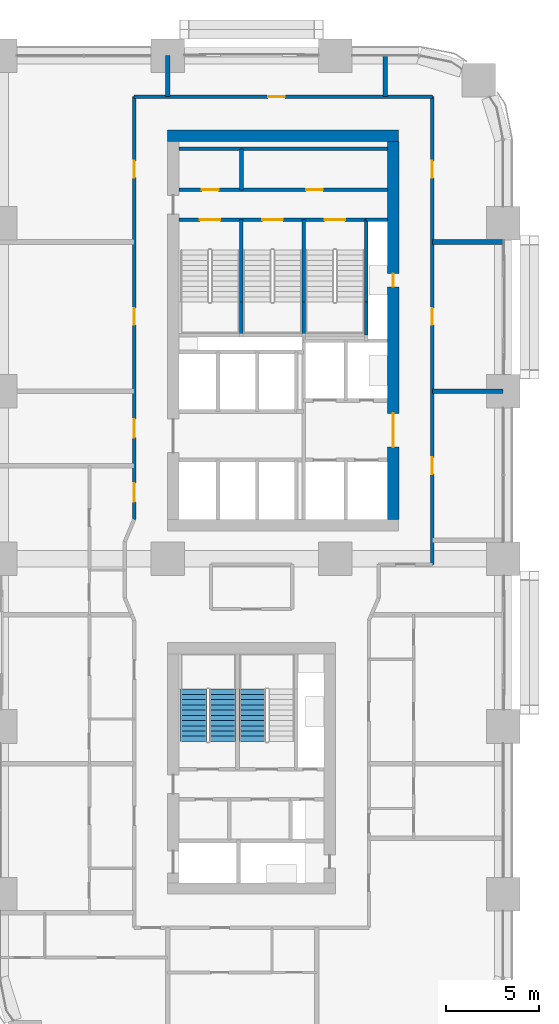
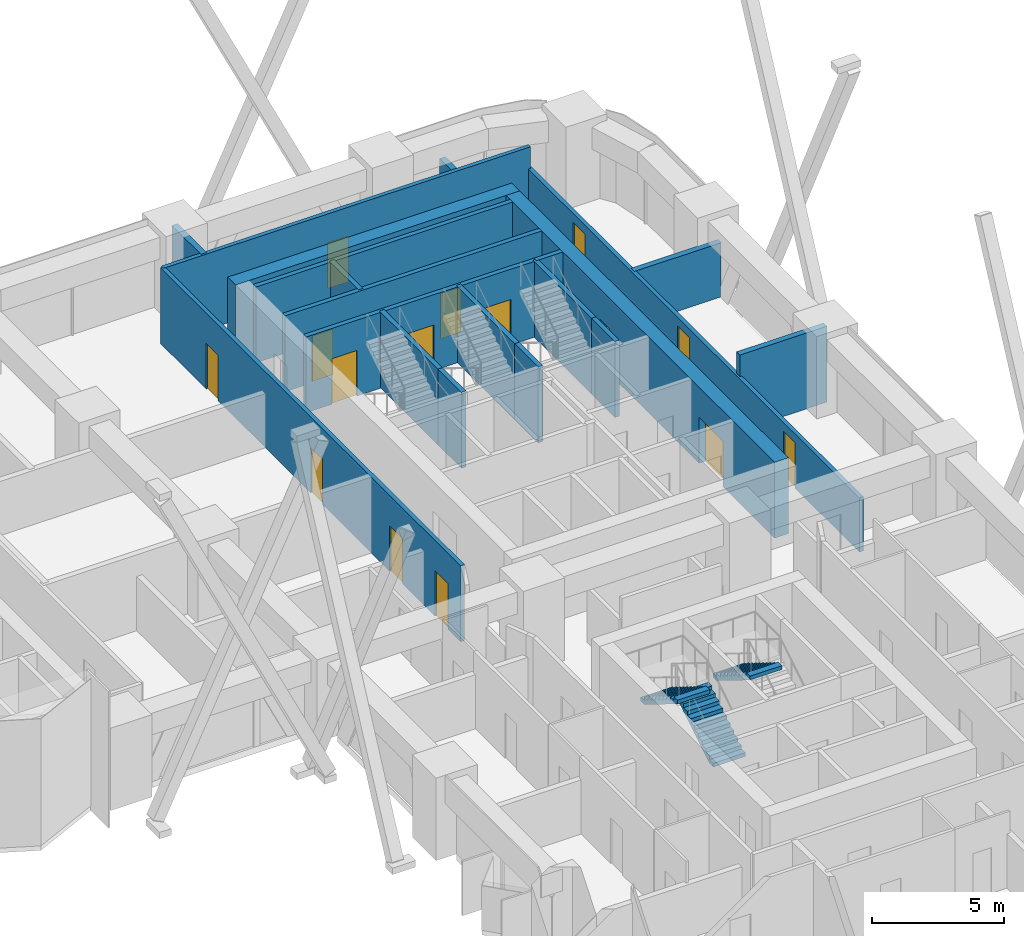
# One storey, part 16 of 19: 20 walls, 15 doors, 3 stair flights, 15 openings, 2 elements without a shape of their own.
"""IFC4 building model written with IfcOpenShell, lengths in metres."""

from ifc_helpers import new_model, si_unit, direction, frame, frame_2d, origin, place, context, subcontext, project, spatial, polyline, rectangle, outline, extrude, material, layer, layer_set, type_object, element, fill, aggregate, save


model = new_model("IFC4")

# Units and contexts
model_context = context("Model", 3, precision=1e-05, world=origin(), true_north=direction((0.0, 1.0)))
body_context = subcontext(model_context, "Body", "Model", "MODEL_VIEW")
ifc_project = project(units=[si_unit("LENGTHUNIT", "METRE"), si_unit("AREAUNIT", "SQUARE_METRE"), si_unit("VOLUMEUNIT", "CUBIC_METRE"), si_unit("PLANEANGLEUNIT", "RADIAN"), si_unit("MASSUNIT", "GRAM", prefix="KILO")], contexts=[model_context])

# Site, building, storey
site_placement = place(None, origin())
site = spatial("IfcSite", under=ifc_project, at=site_placement, CompositionType="ELEMENT")
building_placement = place(site_placement, origin())
building = spatial("IfcBuilding", under=site, at=building_placement, Name="Tessera Arch", CompositionType="ELEMENT")
storey_placement = place(building_placement, frame((0.0, 0.0, 108.199951171875)))
storey = spatial("IfcBuildingStorey", under=building, at=storey_placement, Name="L25", CompositionType="ELEMENT", Elevation=108.199951171875)

# Wall
ifc_material_1 = material(Name="Gypsum board on steel stud", Category="steel")
ifc_layer_1 = layer(ifc_material_1, 0.125)
ifc_layer_set_1 = layer_set([ifc_layer_1], Name="Core partition 125 EI 60")
wall_type_1 = type_object("IfcWallType", Name="Core partition 125 EI 60", PredefinedType="PARTITIONING", material=ifc_layer_set_1)
wall_1_placement = place(storey_placement, frame((39.9599609375, 46.800048828125, 0.0), z_axis=(0.0, 0.0, 1.0), x_axis=(0.0, 1.0, 0.0)))
element("IfcWall", 1, at=wall_1_placement, inside=storey, type_object=wall_type_1, Name="L25 C1 partition wall 5", PredefinedType="PARTITIONING", context=body_context, shape_type="SweptSolid", body=[
    extrude(rectangle(XDim=2.199951171875, YDim=0.199951171875, at=frame_2d((1.10009765625, 0.0))), origin(), (0.0, 0.0, 1.0), 3.5),
])

# Wall, openings, doors
wall_2_placement = place(storey_placement, frame((36.60009765625, 46.800048828125, 0.0), z_axis=(0.0, 0.0, 1.0), x_axis=(1.0, 0.0, 0.0)))
wall_2 = element("IfcWall", 2, at=wall_2_placement, inside=storey, type_object=wall_type_1, Name="L25 C1 partition wall 31", PredefinedType="PARTITIONING", context=body_context, shape_type="SweptSolid", body=[
    extrude(rectangle(XDim=11.199951171875, YDim=0.199951171875, at=frame_2d((5.60009765625, 0.0))), origin(), (0.0, 0.0, 1.0), 3.5),
])
opening_1_placement = place(wall_2_placement, frame((1.22998046875, 0.0, 0.0)))
opening_1 = element("IfcOpeningElement", 3, at=opening_1_placement, cuts=wall_2, Name="Opening L25-C12", PredefinedType="OPENING", context=body_context, shape_type="SweptSolid", body=[
    extrude(rectangle(XDim=0.89990234375, YDim=2.10009765625, at=frame_2d((0.449951171875, 1.050048828125))), frame((0.0, 0.10986328125, 0.0), z_axis=(0.0, -1.0, 0.0), x_axis=(1.0, 0.0, 0.0)), (0.0, 0.0, 1.0), 0.219970703125),
])
opening_2_placement = place(wall_2_placement, frame((6.830078125, 0.0, 0.0)))
opening_2 = element("IfcOpeningElement", 4, at=opening_2_placement, cuts=wall_2, Name="Opening L25-C13", PredefinedType="OPENING", context=body_context, shape_type="SweptSolid", body=[
    extrude(rectangle(XDim=0.89990234375, YDim=2.10009765625, at=frame_2d((0.449951171875, 1.050048828125))), frame((0.0, 0.10986328125, 0.0), z_axis=(0.0, -1.0, 0.0), x_axis=(1.0, 0.0, 0.0)), (0.0, 0.0, 1.0), 0.219970703125),
])
ifc_material_2 = material(Name="Steel door leaf", Category="steel")
door_type_1 = type_object("IfcDoorType", Name="Store door FD30S 900 x 2100", OperationType="SINGLE_SWING_LEFT", PredefinedType="DOOR", material=ifc_material_2)
door_1_placement = place(opening_1_placement, origin())
door_1 = element("IfcDoor", 5, at=door_1_placement, inside=storey, type_object=door_type_1, Name="L25 C1 door 12 C12 type D09", OperationType="SINGLE_SWING_LEFT", OverallHeight=2.10009765625, OverallWidth=0.89990234375, PredefinedType="DOOR", context=body_context, shape_type="SweptSolid", body=[
    extrude(rectangle(XDim=0.89990234375, YDim=2.10009765625, at=frame_2d((0.449951171875, 1.050048828125))), frame((0.0, 0.02490234375, 0.0), z_axis=(0.0, -1.0, 0.0), x_axis=(1.0, 0.0, 0.0)), (0.0, 0.0, 1.0), 0.050048828125),
])
fill(opening_1, door_1)
door_2_placement = place(opening_2_placement, origin())
door_2 = element("IfcDoor", 6, at=door_2_placement, inside=storey, type_object=door_type_1, Name="L25 C1 door 13 C13 type D09", OperationType="SINGLE_SWING_RIGHT", OverallHeight=2.10009765625, OverallWidth=0.89990234375, PredefinedType="DOOR", context=body_context, shape_type="SweptSolid", body=[
    extrude(rectangle(XDim=0.89990234375, YDim=2.10009765625, at=frame_2d((0.449951171875, 1.050048828125))), frame((0.0, 0.02490234375, 0.0), z_axis=(0.0, -1.0, 0.0), x_axis=(1.0, 0.0, 0.0)), (0.0, 0.0, 1.0), 0.050048828125),
])
fill(opening_2, door_2)

# Walls
wall_3_placement = place(storey_placement, frame((36.60009765625, 49.0, 0.0), z_axis=(0.0, 0.0, 1.0), x_axis=(1.0, 0.0, 0.0)))
element("IfcWall", 7, at=wall_3_placement, inside=storey, type_object=wall_type_1, Name="L25 C1 partition wall 32", PredefinedType="PARTITIONING", context=body_context, shape_type="SweptSolid", body=[
    extrude(rectangle(XDim=11.199951171875, YDim=0.199951171875, at=frame_2d((5.60009765625, 0.0))), origin(), (0.0, 0.0, 1.0), 3.5),
])
ifc_material_3 = material(Name="Concrete C70/85", Category="concrete")
ifc_layer_2 = layer(ifc_material_3, 0.60009765625)
ifc_layer_set_2 = layer_set([ifc_layer_2], Name="Core shell wall 600 C70-85")
wall_type_2 = type_object("IfcWallType", Name="Core shell wall 600 C70-85", PredefinedType="SHEAR", material=ifc_layer_set_2)
wall_4_placement = place(storey_placement, frame((36.0, 49.699951171875, 0.0), z_axis=(0.0, 0.0, 1.0), x_axis=(1.0, 0.0, 0.0)))
element("IfcWall", 8, at=wall_4_placement, inside=storey, type_object=wall_type_2, Name="L25 C1 core wall N", PredefinedType="SHEAR", context=body_context, shape_type="SweptSolid", body=[
    extrude(rectangle(XDim=12.39990234375, YDim=0.60009765625, at=frame_2d((6.199951171875, 0.0))), origin(), (0.0, 0.0, 1.0), 3.5),
])

# Wall, openings, doors
wall_5_placement = place(storey_placement, frame((48.10009765625, 29.10009765625, 0.0), z_axis=(0.0, 0.0, 1.0), x_axis=(0.0, 1.0, 0.0)))
wall_5 = element("IfcWall", 9, at=wall_5_placement, inside=storey, type_object=wall_type_2, Name="L25 C1 core wall E", PredefinedType="SHEAR", context=body_context, shape_type="SweptSolid", body=[
    extrude(rectangle(XDim=20.2998046875, YDim=0.60009765625, at=frame_2d((10.14990234375, 0.0))), origin(), (0.0, 0.0, 1.0), 3.5),
])
opening_3_placement = place(wall_5_placement, frame((12.5, 0.0, 0.0)))
opening_3 = element("IfcOpeningElement", 10, at=opening_3_placement, cuts=wall_5, Name="Opening L25-C08", PredefinedType="OPENING", context=body_context, shape_type="SweptSolid", body=[
    extrude(rectangle(XDim=0.699951171875, YDim=2.10009765625, at=frame_2d((0.35009765625, 1.050048828125))), frame((0.0, 0.31005859375, 0.0), z_axis=(0.0, -1.0, 0.0), x_axis=(1.0, 0.0, 0.0)), (0.0, 0.0, 1.0), 0.6201171875),
])
opening_4_placement = place(wall_5_placement, frame((3.89990234375, 0.0, 0.0)))
opening_4 = element("IfcOpeningElement", 11, at=opening_4_placement, cuts=wall_5, Name="Opening L25-C09", PredefinedType="OPENING", context=body_context, shape_type="SweptSolid", body=[
    extrude(rectangle(XDim=1.800048828125, YDim=2.10009765625, at=frame_2d((0.89990234375, 1.050048828125))), frame((0.0, 0.31005859375, 0.0), z_axis=(0.0, -1.0, 0.0), x_axis=(1.0, 0.0, 0.0)), (0.0, 0.0, 1.0), 0.6201171875),
])
ifc_material_4 = material(Name="Glazed steel door leaf", Category="steel")
door_type_2 = type_object("IfcDoorType", Name="Lobby double door FD60 1800 x 2100", OperationType="DOUBLE_DOOR_SINGLE_SWING", PredefinedType="DOOR", material=ifc_material_4)
door_3_placement = place(opening_4_placement, origin())
door_3 = element("IfcDoor", 12, at=door_3_placement, inside=storey, type_object=door_type_2, Name="L25 C1 door 9 C09 type D19", OperationType="DOUBLE_DOOR_SINGLE_SWING", OverallHeight=2.10009765625, OverallWidth=1.800048828125, PredefinedType="DOOR", context=body_context, shape_type="SweptSolid", body=[
    extrude(rectangle(XDim=1.800048828125, YDim=2.10009765625, at=frame_2d((0.89990234375, 1.050048828125))), frame((0.0, 0.02490234375, 0.0), z_axis=(0.0, -1.0, 0.0), x_axis=(1.0, 0.0, 0.0)), (0.0, 0.0, 1.0), 0.050048828125),
])
fill(opening_4, door_3)
ifc_material_5 = material(Name="Steel door leaf", Category="steel")
door_type_3 = type_object("IfcDoorType", Name="Service shaft door FD60 700 x 2100", OperationType="SINGLE_SWING_LEFT", PredefinedType="DOOR", material=ifc_material_5)
door_4_placement = place(opening_3_placement, origin())
door_4 = element("IfcDoor", 13, at=door_4_placement, inside=storey, type_object=door_type_3, Name="L25 C1 door 8 C08 type D07", OperationType="SINGLE_SWING_RIGHT", OverallHeight=2.10009765625, OverallWidth=0.699951171875, PredefinedType="DOOR", context=body_context, shape_type="SweptSolid", body=[
    extrude(rectangle(XDim=0.699951171875, YDim=2.10009765625, at=frame_2d((0.35009765625, 1.050048828125))), frame((0.0, 0.02490234375, 0.0), z_axis=(0.0, -1.0, 0.0), x_axis=(1.0, 0.0, 0.0)), (0.0, 0.0, 1.0), 0.050048828125),
])
fill(opening_3, door_4)

# Wall, opening, door
ifc_material_6 = material(Name="Gypsum board on deep steel stud with mineral wool", Category="steel")
ifc_layer_3 = layer(ifc_material_6, 0.175048828125)
ifc_layer_set_3 = layer_set([ifc_layer_3], Name="Corridor wall 175 EI 60")
wall_type_3 = type_object("IfcWallType", Name="Corridor wall 175 EI 60", PredefinedType="PARTITIONING", material=ifc_layer_set_3)
wall_6_placement = place(storey_placement, frame((34.199951171875, 51.800048828125, 0.0), z_axis=(0.0, 0.0, 1.0), x_axis=(1.0, 0.0, 0.0)))
wall_6 = element("IfcWall", 14, at=wall_6_placement, inside=storey, type_object=wall_type_3, Name="L25 partition 8", PredefinedType="PARTITIONING", context=body_context, shape_type="SweptSolid", body=[
    extrude(rectangle(XDim=16.0, YDim=0.175048828125, at=frame_2d((8.0, 0.0))), origin(), (0.0, 0.0, 1.0), 3.5),
])
opening_5_placement = place(wall_6_placement, frame((7.189208984375, 0.0, 0.0)))
opening_5 = element("IfcOpeningElement", 15, at=opening_5_placement, cuts=wall_6, Name="Opening L25-D038", PredefinedType="OPENING", context=body_context, shape_type="SweptSolid", body=[
    extrude(rectangle(XDim=0.89990234375, YDim=2.10009765625, at=frame_2d((0.449951171875, 1.050048828125))), frame((0.0, 0.097412109375, 0.0), z_axis=(0.0, -1.0, 0.0), x_axis=(1.0, 0.0, 0.0)), (0.0, 0.0, 1.0), 0.195068359375),
])
ifc_material_7 = material(Name="Timber door leaf", Category="wood")
door_type_4 = type_object("IfcDoorType", Name="Room door 900 x 2100", OperationType="SINGLE_SWING_LEFT", PredefinedType="DOOR", material=ifc_material_7)
door_5_placement = place(opening_5_placement, origin())
door_5 = element("IfcDoor", 16, at=door_5_placement, inside=storey, type_object=door_type_4, Name="L25 door D038 type D01", OperationType="SINGLE_SWING_RIGHT", OverallHeight=2.10009765625, OverallWidth=0.89990234375, PredefinedType="DOOR", context=body_context, shape_type="SweptSolid", body=[
    extrude(rectangle(XDim=0.89990234375, YDim=2.10009765625, at=frame_2d((0.449951171875, 1.050048828125))), frame((0.0, 0.02490234375, 0.0), z_axis=(0.0, -1.0, 0.0), x_axis=(1.0, 0.0, 0.0)), (0.0, 0.0, 1.0), 0.050048828125),
])
fill(opening_5, door_5)

# Wall, openings, doors
wall_7_placement = place(storey_placement, frame((34.199951171875, 29.1201171875, 0.0), z_axis=(0.0, 0.0, 1.0), x_axis=(0.0, 1.0, 0.0)))
wall_7 = element("IfcWall", 17, at=wall_7_placement, inside=storey, type_object=wall_type_3, Name="L25 partition 13", PredefinedType="PARTITIONING", context=body_context, shape_type="SweptSolid", body=[
    extrude(rectangle(XDim=22.679931640625, YDim=0.175048828125, at=frame_2d((11.33984375, 0.0))), origin(), (0.0, 0.0, 1.0), 3.5),
])
opening_6_placement = place(wall_7_placement, frame((0.93994140625, 0.0, 0.0)))
opening_6 = element("IfcOpeningElement", 18, at=opening_6_placement, cuts=wall_7, Name="Opening L25-D023", PredefinedType="OPENING", context=body_context, shape_type="SweptSolid", body=[
    extrude(rectangle(XDim=1.0, YDim=2.10009765625, at=frame_2d((0.5, 1.050048828125))), frame((0.0, 0.097412109375, 0.0), z_axis=(0.0, -1.0, 0.0), x_axis=(1.0, 0.0, 0.0)), (0.0, 0.0, 1.0), 0.195068359375),
])
opening_7_placement = place(wall_7_placement, frame((4.3798828125, 0.0, 0.0)))
opening_7 = element("IfcOpeningElement", 19, at=opening_7_placement, cuts=wall_7, Name="Opening L25-D029", PredefinedType="OPENING", context=body_context, shape_type="SweptSolid", body=[
    extrude(rectangle(XDim=1.0, YDim=2.10009765625, at=frame_2d((0.5, 1.050048828125))), frame((0.0, 0.097412109375, 0.0), z_axis=(0.0, -1.0, 0.0), x_axis=(1.0, 0.0, 0.0)), (0.0, 0.0, 1.0), 0.195068359375),
])
opening_8_placement = place(wall_7_placement, frame((10.429931640625, 0.0, 0.0)))
opening_8 = element("IfcOpeningElement", 20, at=opening_8_placement, cuts=wall_7, Name="Opening L25-D030", PredefinedType="OPENING", context=body_context, shape_type="SweptSolid", body=[
    extrude(rectangle(XDim=0.89990234375, YDim=2.10009765625, at=frame_2d((0.449951171875, 1.050048828125))), frame((0.0, 0.097412109375, 0.0), z_axis=(0.0, -1.0, 0.0), x_axis=(1.0, 0.0, 0.0)), (0.0, 0.0, 1.0), 0.195068359375),
])
opening_9_placement = place(wall_7_placement, frame((18.330078125, 0.0, 0.0)))
opening_9 = element("IfcOpeningElement", 21, at=opening_9_placement, cuts=wall_7, Name="Opening L25-D033", PredefinedType="OPENING", context=body_context, shape_type="SweptSolid", body=[
    extrude(rectangle(XDim=0.89990234375, YDim=2.10009765625, at=frame_2d((0.449951171875, 1.050048828125))), frame((0.0, 0.097412109375, 0.0), z_axis=(0.0, -1.0, 0.0), x_axis=(1.0, 0.0, 0.0)), (0.0, 0.0, 1.0), 0.195068359375),
])
ifc_material_8 = material(Name="Fire-rated door leaf")
door_type_5 = type_object("IfcDoorType", Name="Entrance door FD30S 1000 x 2100", OperationType="SINGLE_SWING_LEFT", PredefinedType="DOOR", material=ifc_material_8)
door_6_placement = place(opening_6_placement, origin())
door_6 = element("IfcDoor", 22, at=door_6_placement, inside=storey, type_object=door_type_5, Name="L25 door D023 type D03", OperationType="SINGLE_SWING_LEFT", OverallHeight=2.10009765625, OverallWidth=1.0, PredefinedType="DOOR", context=body_context, shape_type="SweptSolid", body=[
    extrude(rectangle(XDim=1.0, YDim=2.10009765625, at=frame_2d((0.5, 1.050048828125))), frame((0.0, 0.02490234375, 0.0), z_axis=(0.0, -1.0, 0.0), x_axis=(1.0, 0.0, 0.0)), (0.0, 0.0, 1.0), 0.050048828125),
])
fill(opening_6, door_6)
door_7_placement = place(opening_7_placement, origin())
door_7 = element("IfcDoor", 23, at=door_7_placement, inside=storey, type_object=door_type_5, Name="L25 door D029 type D03", OperationType="SINGLE_SWING_LEFT", OverallHeight=2.10009765625, OverallWidth=1.0, PredefinedType="DOOR", context=body_context, shape_type="SweptSolid", body=[
    extrude(rectangle(XDim=1.0, YDim=2.10009765625, at=frame_2d((0.5, 1.050048828125))), frame((0.0, 0.02490234375, 0.0), z_axis=(0.0, -1.0, 0.0), x_axis=(1.0, 0.0, 0.0)), (0.0, 0.0, 1.0), 0.050048828125),
])
fill(opening_7, door_7)
door_8_placement = place(opening_8_placement, origin())
door_8 = element("IfcDoor", 24, at=door_8_placement, inside=storey, type_object=door_type_4, Name="L25 door D030 type D01", OperationType="SINGLE_SWING_RIGHT", OverallHeight=2.10009765625, OverallWidth=0.89990234375, PredefinedType="DOOR", context=body_context, shape_type="SweptSolid", body=[
    extrude(rectangle(XDim=0.89990234375, YDim=2.10009765625, at=frame_2d((0.449951171875, 1.050048828125))), frame((0.0, 0.02490234375, 0.0), z_axis=(0.0, -1.0, 0.0), x_axis=(1.0, 0.0, 0.0)), (0.0, 0.0, 1.0), 0.050048828125),
])
fill(opening_8, door_8)
door_9_placement = place(opening_9_placement, origin())
door_9 = element("IfcDoor", 25, at=door_9_placement, inside=storey, type_object=door_type_4, Name="L25 door D033 type D01", OperationType="SINGLE_SWING_LEFT", OverallHeight=2.10009765625, OverallWidth=0.89990234375, PredefinedType="DOOR", context=body_context, shape_type="SweptSolid", body=[
    extrude(rectangle(XDim=0.89990234375, YDim=2.10009765625, at=frame_2d((0.449951171875, 1.050048828125))), frame((0.0, 0.02490234375, 0.0), z_axis=(0.0, -1.0, 0.0), x_axis=(1.0, 0.0, 0.0)), (0.0, 0.0, 1.0), 0.050048828125),
])
fill(opening_9, door_9)

wall_8_placement = place(storey_placement, frame((50.199951171875, 26.699951171875, 0.0), z_axis=(0.0, 0.0, 1.0), x_axis=(0.0, 1.0, 0.0)))
wall_8 = element("IfcWall", 26, at=wall_8_placement, inside=storey, type_object=wall_type_3, Name="L25 partition 18", PredefinedType="PARTITIONING", context=body_context, shape_type="SweptSolid", body=[
    extrude(rectangle(XDim=25.10009765625, YDim=0.175048828125, at=frame_2d((12.550048828125, 0.0))), origin(), (0.0, 0.0, 1.0), 2.5),
])
opening_10_placement = place(wall_8_placement, frame((4.85009765625, 0.0, 0.0)))
opening_10 = element("IfcOpeningElement", 27, at=opening_10_placement, cuts=wall_8, Name="Opening L25-D028", PredefinedType="OPENING", context=body_context, shape_type="SweptSolid", body=[
    extrude(rectangle(XDim=0.89990234375, YDim=2.10009765625, at=frame_2d((0.449951171875, 1.050048828125))), frame((0.0, 0.097412109375, 0.0), z_axis=(0.0, -1.0, 0.0), x_axis=(1.0, 0.0, 0.0)), (0.0, 0.0, 1.0), 0.195068359375),
])
opening_11_placement = place(wall_8_placement, frame((12.85009765625, 0.0, 0.0)))
opening_11 = element("IfcOpeningElement", 28, at=opening_11_placement, cuts=wall_8, Name="Opening L25-D031", PredefinedType="OPENING", context=body_context, shape_type="SweptSolid", body=[
    extrude(rectangle(XDim=0.89990234375, YDim=2.10009765625, at=frame_2d((0.449951171875, 1.050048828125))), frame((0.0, 0.097412109375, 0.0), z_axis=(0.0, -1.0, 0.0), x_axis=(1.0, 0.0, 0.0)), (0.0, 0.0, 1.0), 0.195068359375),
])
opening_12_placement = place(wall_8_placement, frame((20.75, 0.0, 0.0)))
opening_12 = element("IfcOpeningElement", 29, at=opening_12_placement, cuts=wall_8, Name="Opening L25-D034", PredefinedType="OPENING", context=body_context, shape_type="SweptSolid", body=[
    extrude(rectangle(XDim=0.89990234375, YDim=2.10009765625, at=frame_2d((0.449951171875, 1.050048828125))), frame((0.0, 0.097412109375, 0.0), z_axis=(0.0, -1.0, 0.0), x_axis=(1.0, 0.0, 0.0)), (0.0, 0.0, 1.0), 0.195068359375),
])
door_10_placement = place(opening_10_placement, origin())
door_10 = element("IfcDoor", 30, at=door_10_placement, inside=storey, type_object=door_type_4, Name="L25 door D028 type D01", OperationType="SINGLE_SWING_LEFT", OverallHeight=2.10009765625, OverallWidth=0.89990234375, PredefinedType="DOOR", context=body_context, shape_type="SweptSolid", body=[
    extrude(rectangle(XDim=0.89990234375, YDim=2.10009765625, at=frame_2d((0.449951171875, 1.050048828125))), frame((0.0, 0.02490234375, 0.0), z_axis=(0.0, -1.0, 0.0), x_axis=(1.0, 0.0, 0.0)), (0.0, 0.0, 1.0), 0.050048828125),
])
fill(opening_10, door_10)
door_11_placement = place(opening_11_placement, origin())
door_11 = element("IfcDoor", 31, at=door_11_placement, inside=storey, type_object=door_type_4, Name="L25 door D031 type D01", OperationType="SINGLE_SWING_RIGHT", OverallHeight=2.10009765625, OverallWidth=0.89990234375, PredefinedType="DOOR", context=body_context, shape_type="SweptSolid", body=[
    extrude(rectangle(XDim=0.89990234375, YDim=2.10009765625, at=frame_2d((0.449951171875, 1.050048828125))), frame((0.0, 0.02490234375, 0.0), z_axis=(0.0, -1.0, 0.0), x_axis=(1.0, 0.0, 0.0)), (0.0, 0.0, 1.0), 0.050048828125),
])
fill(opening_11, door_11)
door_12_placement = place(opening_12_placement, origin())
door_12 = element("IfcDoor", 32, at=door_12_placement, inside=storey, type_object=door_type_4, Name="L25 door D034 type D01", OperationType="SINGLE_SWING_LEFT", OverallHeight=2.10009765625, OverallWidth=0.89990234375, PredefinedType="DOOR", context=body_context, shape_type="SweptSolid", body=[
    extrude(rectangle(XDim=0.89990234375, YDim=2.10009765625, at=frame_2d((0.449951171875, 1.050048828125))), frame((0.0, 0.02490234375, 0.0), z_axis=(0.0, -1.0, 0.0), x_axis=(1.0, 0.0, 0.0)), (0.0, 0.0, 1.0), 0.050048828125),
])
fill(opening_12, door_12)

# Walls
ifc_material_9 = material(Name="Double gypsum board on twin steel stud with acoustic mineral wool", Category="steel")
ifc_layer_4 = layer(ifc_material_9, 0.25)
ifc_layer_set_4 = layer_set([ifc_layer_4], Name="Party wall 250 EI 60")
wall_type_4 = type_object("IfcWallType", Name="Party wall 250 EI 60", PredefinedType="PARTITIONING", material=ifc_layer_set_4)
wall_9_placement = place(storey_placement, frame((50.199951171875, 36.0, 0.0), z_axis=(0.0, 0.0, 1.0), x_axis=(1.0, 0.0, 0.0)))
element("IfcWall", 33, at=wall_9_placement, inside=storey, type_object=wall_type_4, Name="L25 partition 36", PredefinedType="PARTITIONING", context=body_context, shape_type="SweptSolid", body=[
    extrude(rectangle(XDim=3.800048828125, YDim=0.25, at=frame_2d((1.89990234375, 0.0))), origin(), (0.0, 0.0, 1.0), 3.5),
])
wall_10_placement = place(storey_placement, frame((50.199951171875, 44.0, 0.0), z_axis=(0.0, 0.0, 1.0), x_axis=(1.0, 0.0, 0.0)))
element("IfcWall", 34, at=wall_10_placement, inside=storey, type_object=wall_type_4, Name="L25 partition 38", PredefinedType="PARTITIONING", context=body_context, shape_type="SweptSolid", body=[
    extrude(rectangle(XDim=3.800048828125, YDim=0.25, at=frame_2d((1.89990234375, 0.0))), origin(), (0.0, 0.0, 1.0), 2.5),
])
wall_11_placement = place(storey_placement, frame((36.0, 51.800048828125, 0.0), z_axis=(0.0, 0.0, 1.0), x_axis=(0.0, 1.0, 0.0)))
element("IfcWall", 35, at=wall_11_placement, inside=storey, type_object=wall_type_4, Name="L25 partition 48", PredefinedType="PARTITIONING", context=body_context, shape_type="SweptSolid", body=[
    extrude(rectangle(XDim=2.199951171875, YDim=0.25, at=frame_2d((1.10009765625, 0.0))), origin(), (0.0, 0.0, 1.0), 3.5),
])
wall_12_placement = place(storey_placement, frame((47.677978515625, 51.800048828125, 0.0), z_axis=(0.0, 0.0, 1.0), x_axis=(0.0, 1.0, 0.0)))
element("IfcWall", 36, at=wall_12_placement, inside=storey, type_object=wall_type_4, Name="L25 partition 50", PredefinedType="PARTITIONING", context=body_context, shape_type="SweptSolid", body=[
    extrude(rectangle(XDim=2.199951171875, YDim=0.25, at=frame_2d((1.10009765625, 0.0))), origin(), (0.0, 0.0, 1.0), 2.5),
])
ifc_material_10 = material(Name="Concrete C40/50", Category="concrete")
ifc_layer_5 = layer(ifc_material_10, 0.199951171875)
ifc_layer_set_5 = layer_set([ifc_layer_5], Name="Shaft wall 200 EI 120")
wall_type_5 = type_object("IfcWallType", Name="Shaft wall 200 EI 120", PredefinedType="SOLIDWALL", material=ifc_layer_set_5)
wall_13_placement = place(storey_placement, frame((46.64990234375, 45.199951171875, 0.0), z_axis=(0.0, 0.0, 1.0), x_axis=(1.0, 0.0, 0.0)))
element("IfcWall", 37, at=wall_13_placement, inside=storey, type_object=wall_type_5, Name="L25 C1 shaft wall 29", PredefinedType="SOLIDWALL", context=body_context, shape_type="SweptSolid", body=[
    extrude(rectangle(XDim=1.150146484375, YDim=0.199951171875, at=frame_2d((0.5751953125, 0.0))), origin(), (0.0, 0.0, 1.0), 3.5),
])
ifc_material_11 = material(Name="Concrete C40/50", Category="concrete")
ifc_layer_6 = layer(ifc_material_11, 0.199951171875)
ifc_layer_set_6 = layer_set([ifc_layer_6], Name="Stair well wall 200 REI 180")
wall_type_6 = type_object("IfcWallType", Name="Stair well wall 200 REI 180", PredefinedType="SOLIDWALL", material=ifc_layer_set_6)
wall_14_placement = place(storey_placement, frame((39.949951171875, 39.0, 0.0), z_axis=(0.0, 0.0, 1.0), x_axis=(0.0, 1.0, 0.0)))
element("IfcWall", 38, at=wall_14_placement, inside=storey, type_object=wall_type_6, Name="L25 C1 shaft wall 3", PredefinedType="SOLIDWALL", context=body_context, shape_type="SweptSolid", body=[
    extrude(rectangle(XDim=1.780029296875, YDim=0.199951171875, at=frame_2d((0.89013671875, 0.0))), origin(), (0.0, 0.0, 1.0), 3.5),
])
wall_15_placement = place(storey_placement, frame((39.949951171875, 40.780029296875, 0.0), z_axis=(0.0, 0.0, 1.0), x_axis=(0.0, 1.0, 0.0)))
element("IfcWall", 39, at=wall_15_placement, inside=storey, type_object=wall_type_6, Name="L25 C1 shaft wall 4", PredefinedType="SOLIDWALL", context=body_context, shape_type="SweptSolid", body=[
    extrude(rectangle(XDim=4.419921875, YDim=0.199951171875, at=frame_2d((2.2099609375, 0.0))), origin(), (0.0, 0.0, 1.0), 3.5),
])
wall_16_placement = place(storey_placement, frame((43.300048828125, 39.0, 0.0), z_axis=(0.0, 0.0, 1.0), x_axis=(0.0, 1.0, 0.0)))
element("IfcWall", 40, at=wall_16_placement, inside=storey, type_object=wall_type_6, Name="L25 C1 shaft wall 11", PredefinedType="SOLIDWALL", context=body_context, shape_type="SweptSolid", body=[
    extrude(rectangle(XDim=1.780029296875, YDim=0.199951171875, at=frame_2d((0.89013671875, 0.0))), origin(), (0.0, 0.0, 1.0), 3.5),
])
wall_17_placement = place(storey_placement, frame((43.300048828125, 40.780029296875, 0.0), z_axis=(0.0, 0.0, 1.0), x_axis=(0.0, 1.0, 0.0)))
element("IfcWall", 41, at=wall_17_placement, inside=storey, type_object=wall_type_6, Name="L25 C1 shaft wall 12", PredefinedType="SOLIDWALL", context=body_context, shape_type="SweptSolid", body=[
    extrude(rectangle(XDim=4.419921875, YDim=0.199951171875, at=frame_2d((2.2099609375, 0.0))), origin(), (0.0, 0.0, 1.0), 3.5),
])
wall_18_placement = place(storey_placement, frame((46.64990234375, 39.0, 0.0), z_axis=(0.0, 0.0, 1.0), x_axis=(0.0, 1.0, 0.0)))
element("IfcWall", 42, at=wall_18_placement, inside=storey, type_object=wall_type_6, Name="L25 C1 shaft wall 16", PredefinedType="SOLIDWALL", context=body_context, shape_type="SweptSolid", body=[
    extrude(rectangle(XDim=1.780029296875, YDim=0.199951171875, at=frame_2d((0.89013671875, 0.0))), origin(), (0.0, 0.0, 1.0), 3.5),
])
wall_19_placement = place(storey_placement, frame((46.64990234375, 40.780029296875, 0.0), z_axis=(0.0, 0.0, 1.0), x_axis=(0.0, 1.0, 0.0)))
element("IfcWall", 43, at=wall_19_placement, inside=storey, type_object=wall_type_6, Name="L25 C1 shaft wall 17", PredefinedType="SOLIDWALL", context=body_context, shape_type="SweptSolid", body=[
    extrude(rectangle(XDim=4.419921875, YDim=0.199951171875, at=frame_2d((2.2099609375, 0.0))), origin(), (0.0, 0.0, 1.0), 3.5),
])

# Wall, openings, doors
wall_20_placement = place(storey_placement, frame((36.60009765625, 45.199951171875, 0.0), z_axis=(0.0, 0.0, 1.0), x_axis=(1.0, 0.0, 0.0)))
wall_20 = element("IfcWall", 44, at=wall_20_placement, inside=storey, type_object=wall_type_6, Name="L25 C1 shaft wall 30", PredefinedType="SOLIDWALL", context=body_context, shape_type="SweptSolid", body=[
    extrude(rectangle(XDim=10.0498046875, YDim=0.199951171875, at=frame_2d((5.02490234375, 0.0))), origin(), (0.0, 0.0, 1.0), 3.5),
])
opening_13_placement = place(wall_20_placement, frame((1.125, 0.0, 0.0)))
opening_13 = element("IfcOpeningElement", 45, at=opening_13_placement, cuts=wall_20, Name="Opening L25-C05", PredefinedType="OPENING", context=body_context, shape_type="SweptSolid", body=[
    extrude(rectangle(XDim=1.10009765625, YDim=2.10009765625, at=frame_2d((0.550048828125, 1.050048828125))), frame((0.0, 0.10986328125, 0.0), z_axis=(0.0, -1.0, 0.0), x_axis=(1.0, 0.0, 0.0)), (0.0, 0.0, 1.0), 0.219970703125),
])
opening_14_placement = place(wall_20_placement, frame((4.47509765625, 0.0, 0.0)))
opening_14 = element("IfcOpeningElement", 46, at=opening_14_placement, cuts=wall_20, Name="Opening L25-C06", PredefinedType="OPENING", context=body_context, shape_type="SweptSolid", body=[
    extrude(rectangle(XDim=1.10009765625, YDim=2.10009765625, at=frame_2d((0.550048828125, 1.050048828125))), frame((0.0, 0.10986328125, 0.0), z_axis=(0.0, -1.0, 0.0), x_axis=(1.0, 0.0, 0.0)), (0.0, 0.0, 1.0), 0.219970703125),
])
opening_15_placement = place(wall_20_placement, frame((7.824951171875, 0.0, 0.0)))
opening_15 = element("IfcOpeningElement", 47, at=opening_15_placement, cuts=wall_20, Name="Opening L25-C07", PredefinedType="OPENING", context=body_context, shape_type="SweptSolid", body=[
    extrude(rectangle(XDim=1.10009765625, YDim=2.10009765625, at=frame_2d((0.550048828125, 1.050048828125))), frame((0.0, 0.10986328125, 0.0), z_axis=(0.0, -1.0, 0.0), x_axis=(1.0, 0.0, 0.0)), (0.0, 0.0, 1.0), 0.219970703125),
])
ifc_material_12 = material(Name="Steel door leaf", Category="steel")
door_type_6 = type_object("IfcDoorType", Name="Stair door FD60 1100 x 2100", OperationType="SINGLE_SWING_LEFT", PredefinedType="DOOR", material=ifc_material_12)
door_13_placement = place(opening_13_placement, origin())
door_13 = element("IfcDoor", 48, at=door_13_placement, inside=storey, type_object=door_type_6, Name="L25 C1 door 5 C05 type D05", OperationType="SINGLE_SWING_LEFT", OverallHeight=2.10009765625, OverallWidth=1.10009765625, PredefinedType="DOOR", context=body_context, shape_type="SweptSolid", body=[
    extrude(rectangle(XDim=1.10009765625, YDim=2.10009765625, at=frame_2d((0.550048828125, 1.050048828125))), frame((0.0, 0.02490234375, 0.0), z_axis=(0.0, -1.0, 0.0), x_axis=(1.0, 0.0, 0.0)), (0.0, 0.0, 1.0), 0.050048828125),
])
fill(opening_13, door_13)
door_14_placement = place(opening_14_placement, origin())
door_14 = element("IfcDoor", 49, at=door_14_placement, inside=storey, type_object=door_type_6, Name="L25 C1 door 6 C06 type D05", OperationType="SINGLE_SWING_RIGHT", OverallHeight=2.10009765625, OverallWidth=1.10009765625, PredefinedType="DOOR", context=body_context, shape_type="SweptSolid", body=[
    extrude(rectangle(XDim=1.10009765625, YDim=2.10009765625, at=frame_2d((0.550048828125, 1.050048828125))), frame((0.0, 0.02490234375, 0.0), z_axis=(0.0, -1.0, 0.0), x_axis=(1.0, 0.0, 0.0)), (0.0, 0.0, 1.0), 0.050048828125),
])
fill(opening_14, door_14)
door_15_placement = place(opening_15_placement, origin())
door_15 = element("IfcDoor", 50, at=door_15_placement, inside=storey, type_object=door_type_6, Name="L25 C1 door 7 C07 type D05", OperationType="SINGLE_SWING_RIGHT", OverallHeight=2.10009765625, OverallWidth=1.10009765625, PredefinedType="DOOR", context=body_context, shape_type="SweptSolid", body=[
    extrude(rectangle(XDim=1.10009765625, YDim=2.10009765625, at=frame_2d((0.550048828125, 1.050048828125))), frame((0.0, 0.02490234375, 0.0), z_axis=(0.0, -1.0, 0.0), x_axis=(1.0, 0.0, 0.0)), (0.0, 0.0, 1.0), 0.050048828125),
])
fill(opening_15, door_15)

# Stair, stair flights
ifc_material_13 = material(Name="Concrete C40/50", Category="concrete")
stair_type = type_object("IfcStairType", Name="Dogleg stair 1400", PredefinedType="HALF_TURN_STAIR", material=ifc_material_13)
stair_1_placement = place(storey_placement, origin())
stair_1 = element("IfcStair", 51, at=stair_1_placement, inside=storey, type_object=stair_type, Name="L25 S3a", PredefinedType="HALF_TURN_STAIR")
ifc_material_14 = material(Name="Concrete C40/50", Category="concrete")
stair_flight_type = type_object("IfcStairFlightType", Name="Stair flight 1400", PredefinedType="STRAIGHT", material=ifc_material_14)
stair_flight_1_placement = place(storey_placement, frame((38.949951171875, 17.199951171875, 0.0), z_axis=(0.0, 0.0, 1.0), x_axis=(0.0, 1.0, 0.0)))
stair_flight_1 = element("IfcStairFlight", 52, at=stair_flight_1_placement, type_object=stair_flight_type, Name="S3a flight 1", NumberOfRisers=11, NumberOfTreads=10, PredefinedType="STRAIGHT", RiserHeight=0.172727273, TreadLength=0.28, context=body_context, shape_type="SweptSolid", body=[
    extrude(outline(polyline([(0.0, 0.0), (0.0, 0.172607421875), (0.280029296875, 0.172607421875), (0.280029296875, 0.345458984375), (0.56005859375, 0.345458984375), (0.56005859375, 0.51806640625), (0.840087890625, 0.51806640625), (0.840087890625, 0.69091796875), (1.1201171875, 0.69091796875), (1.1201171875, 0.863525390625), (1.39990234375, 0.863525390625), (1.39990234375, 1.036376953125), (1.679931640625, 1.036376953125), (1.679931640625, 1.208984375), (1.9599609375, 1.208984375), (1.9599609375, 1.3818359375), (2.239990234375, 1.3818359375), (2.239990234375, 1.554443359375), (2.52001953125, 1.554443359375), (2.52001953125, 1.727294921875), (2.800048828125, 1.727294921875), (2.800048828125, 1.89990234375), (2.800048828125, 1.551025390625), (0.285400390625, 0.0), (0.0, 0.0)])), frame((0.0, 0.699951171875, 0.0), z_axis=(0.0, -1.0, 0.0), x_axis=(1.0, 0.0, 0.0)), (0.0, 0.0, 1.0), 1.39990234375),
])
stair_flight_2_placement = place(storey_placement, frame((37.39990234375, 20.0, 1.900146484375), z_axis=(0.0, 0.0, 1.0), x_axis=(0.0, -1.0, 0.0)))
stair_flight_2 = element("IfcStairFlight", 53, at=stair_flight_2_placement, type_object=stair_flight_type, Name="S3a flight 2", NumberOfRisers=11, NumberOfTreads=10, PredefinedType="STRAIGHT", RiserHeight=0.172727273, TreadLength=0.28, context=body_context, shape_type="SweptSolid", body=[
    extrude(outline(polyline([(0.0, 0.0), (0.0, 0.172607421875), (0.280029296875, 0.172607421875), (0.280029296875, 0.345458984375), (0.56005859375, 0.345458984375), (0.56005859375, 0.51806640625), (0.840087890625, 0.51806640625), (0.840087890625, 0.69091796875), (1.1201171875, 0.69091796875), (1.1201171875, 0.863525390625), (1.39990234375, 0.863525390625), (1.39990234375, 1.036376953125), (1.679931640625, 1.036376953125), (1.679931640625, 1.208984375), (1.9599609375, 1.208984375), (1.9599609375, 1.3818359375), (2.239990234375, 1.3818359375), (2.239990234375, 1.554443359375), (2.52001953125, 1.554443359375), (2.52001953125, 1.727294921875), (2.800048828125, 1.727294921875), (2.800048828125, 1.89990234375), (2.800048828125, 1.551025390625), (0.285400390625, 0.0), (0.0, 0.0)])), frame((0.0, 0.699951171875, 0.0), z_axis=(0.0, -1.0, 0.0), x_axis=(1.0, 0.0, 0.0)), (0.0, 0.0, 1.0), 1.39990234375),
])
aggregate(stair_1, [stair_flight_1, stair_flight_2])

# Stair, stair flight
stair_2_placement = place(storey_placement, origin())
stair_2 = element("IfcStair", 54, at=stair_2_placement, inside=storey, type_object=stair_type, Name="L25 S3b", PredefinedType="HALF_TURN_STAIR")
stair_flight_3_placement = place(storey_placement, frame((40.550048828125, 20.0, 1.900146484375), z_axis=(0.0, 0.0, 1.0), x_axis=(0.0, -1.0, 0.0)))
stair_flight_3 = element("IfcStairFlight", 55, at=stair_flight_3_placement, type_object=stair_flight_type, Name="S3b flight 2", NumberOfRisers=11, NumberOfTreads=10, PredefinedType="STRAIGHT", RiserHeight=0.172727273, TreadLength=0.28, context=body_context, shape_type="SweptSolid", body=[
    extrude(outline(polyline([(0.0, 0.0), (0.0, 0.172607421875), (0.280029296875, 0.172607421875), (0.280029296875, 0.345458984375), (0.56005859375, 0.345458984375), (0.56005859375, 0.51806640625), (0.840087890625, 0.51806640625), (0.840087890625, 0.69091796875), (1.1201171875, 0.69091796875), (1.1201171875, 0.863525390625), (1.39990234375, 0.863525390625), (1.39990234375, 1.036376953125), (1.679931640625, 1.036376953125), (1.679931640625, 1.208984375), (1.9599609375, 1.208984375), (1.9599609375, 1.3818359375), (2.239990234375, 1.3818359375), (2.239990234375, 1.554443359375), (2.52001953125, 1.554443359375), (2.52001953125, 1.727294921875), (2.800048828125, 1.727294921875), (2.800048828125, 1.89990234375), (2.800048828125, 1.551025390625), (0.285400390625, 0.0), (0.0, 0.0)])), frame((0.0, 0.699951171875, 0.0), z_axis=(0.0, -1.0, 0.0), x_axis=(1.0, 0.0, 0.0)), (0.0, 0.0, 1.0), 1.39990234375),
])
aggregate(stair_2, [stair_flight_3])

save(model, "model.ifc")
